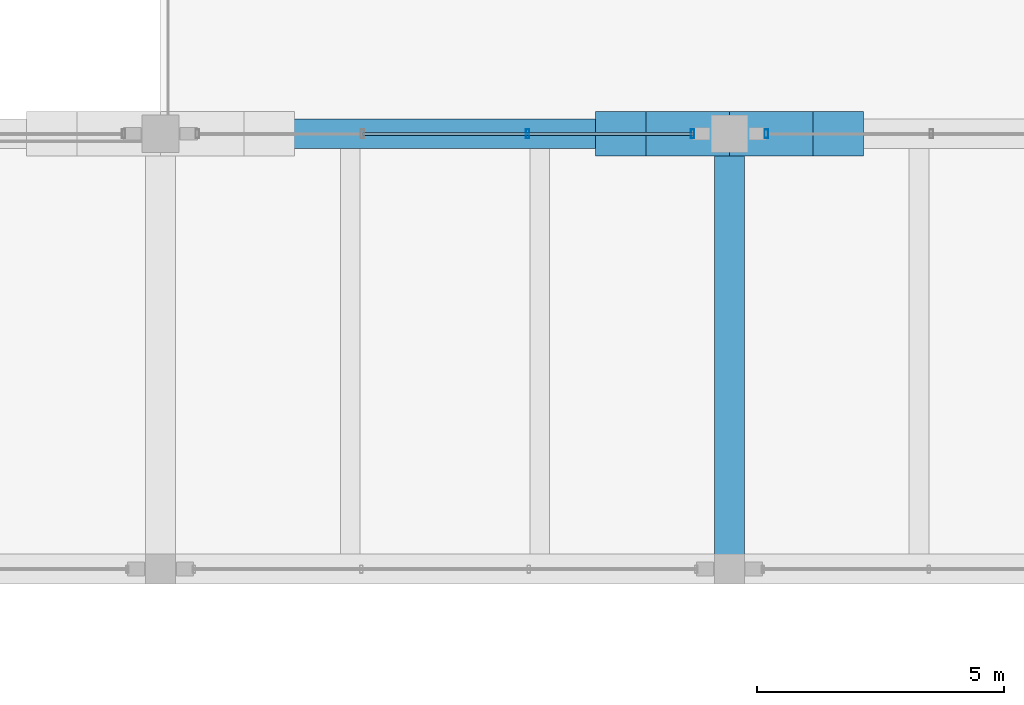
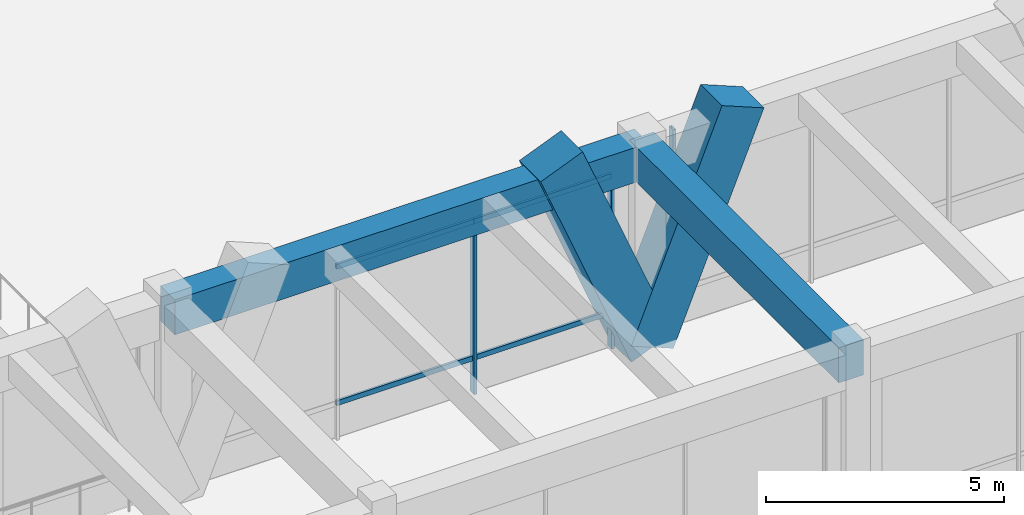
# One storey, part 18 of 148: 9 members, 2 beams, 2 elements without a shape of their own.
"""IFC4 building model written with IfcOpenShell, lengths in metres."""

from ifc_helpers import new_model, si_unit, direction, frame, origin, origin_2d, place, context, subcontext, project, spatial, rectangle, hollow_rectangle, extrude, material, material_profile, profile_set, type_object, element, aggregate, save


model = new_model("IFC4")

# Units and contexts
model_context = context("Model", 3, precision=1e-05, world=origin(), true_north=direction((0.0, 1.0)))
body_context = subcontext(model_context, "Body", "Model", "MODEL_VIEW")
ifc_project = project(units=[si_unit("LENGTHUNIT", "METRE"), si_unit("AREAUNIT", "SQUARE_METRE"), si_unit("VOLUMEUNIT", "CUBIC_METRE"), si_unit("PLANEANGLEUNIT", "RADIAN"), si_unit("MASSUNIT", "GRAM", prefix="KILO")], contexts=[model_context])

# Site, building, storey
site_placement = place(None, origin())
site = spatial("IfcSite", under=ifc_project, at=site_placement, CompositionType="ELEMENT")
building_placement = place(site_placement, origin())
building = spatial("IfcBuilding", under=site, at=building_placement, Name="Ologun Quay Terminus", CompositionType="ELEMENT")
storey_placement = place(building_placement, frame((0.0, 0.0, 8.39990234375)))
storey = spatial("IfcBuildingStorey", under=building, at=storey_placement, Name="L02", CompositionType="ELEMENT", Elevation=8.39990234375)

# Curtain wall, members
ifc_material_1 = material(Name="Aluminium 6063-T6", Category="aluminium")
curtain_wall_type = type_object("IfcCurtainWallType", Name="Train Shed South Clerestory Curtain Wall 10700x5050", PredefinedType="USERDEFINED", material=ifc_material_1)
curtain_wall_1_placement = place(storey_placement, origin())
curtain_wall_1 = element("IfcCurtainWall", 1, at=curtain_wall_1_placement, inside=storey, type_object=curtain_wall_type, Name="CW-08 Curtain Wall CW-L02-050", ObjectType="UNITISED CURTAIN WALL", PredefinedType="USERDEFINED")
ifc_material_2 = material(Name="Aluminium 6063-T6", Category="aluminium")
ifc_material_profile_1 = material_profile(ifc_material_2, hollow_rectangle(XDim=0.070068359375, YDim=0.179931640625, WallThickness=0.0048828125, at=origin_2d()), Name="ALU 180x70x5")
ifc_profile_set_1 = profile_set([ifc_material_profile_1], Name="Aluminium 6063-T6")
member_type_1 = type_object("IfcMemberType", Name="Concourse Clerestory Mullion 180x70", PredefinedType="MULLION", material=ifc_profile_set_1)
member_1_placement = place(storey_placement, frame((41.918212890625, 36.0, 0.0), z_axis=(0.0, 0.0, 1.0), x_axis=(1.0, 0.0, 0.0)))
member_1 = element("IfcMember", 2, at=member_1_placement, type_object=member_type_1, Name="CW-L02-050 Mullion 3", PredefinedType="MULLION", context=body_context, shape_type="SweptSolid", body=[
    extrude(hollow_rectangle(XDim=0.070068359375, YDim=0.179931640625, WallThickness=0.0048828125, at=origin_2d()), origin(), (0.0, 0.0, 1.0), 5.10009765625),
])
member_2_placement = place(storey_placement, frame((45.2548828125, 36.0, 0.0), z_axis=(0.0, 0.0, 1.0), x_axis=(1.0, 0.0, 0.0)))
member_2 = element("IfcMember", 3, at=member_2_placement, type_object=member_type_1, Name="CW-L02-050 Mullion 4", PredefinedType="MULLION", context=body_context, shape_type="SweptSolid", body=[
    extrude(hollow_rectangle(XDim=0.070068359375, YDim=0.179931640625, WallThickness=0.0048828125, at=origin_2d()), origin(), (0.0, 0.0, 1.0), 5.10009765625),
])

# Curtain wall, member
curtain_wall_2_placement = place(storey_placement, origin())
curtain_wall_2 = element("IfcCurtainWall", 4, at=curtain_wall_2_placement, inside=storey, type_object=curtain_wall_type, Name="CW-08 Curtain Wall CW-L02-052", ObjectType="UNITISED CURTAIN WALL", PredefinedType="USERDEFINED")
member_3_placement = place(storey_placement, frame((46.7451171875, 36.0, 0.0), z_axis=(0.0, 0.0, 1.0), x_axis=(1.0, 0.0, 0.0)))
member_3 = element("IfcMember", 5, at=member_3_placement, type_object=member_type_1, Name="CW-L02-052 Mullion 1", PredefinedType="MULLION", context=body_context, shape_type="SweptSolid", body=[
    extrude(hollow_rectangle(XDim=0.070068359375, YDim=0.179931640625, WallThickness=0.0048828125, at=origin_2d()), origin(), (0.0, 0.0, 1.0), 5.10009765625),
])
aggregate(curtain_wall_2, [member_3])

# Member
ifc_material_3 = material(Name="Aluminium 6063-T6", Category="aluminium")
ifc_material_profile_2 = material_profile(ifc_material_3, hollow_rectangle(XDim=0.06005859375, YDim=0.1298828125, WallThickness=0.00390625, at=origin_2d()), Name="ALU 130x60x4")
ifc_profile_set_2 = profile_set([ifc_material_profile_2], Name="Aluminium 6063-T6")
member_type_2 = type_object("IfcMemberType", Name="Concourse Clerestory Transom 130x60", PredefinedType="USERDEFINED", material=ifc_profile_set_2)
member_4_placement = place(storey_placement, frame((38.581787109375, 36.0, 0.900146484375), z_axis=(1.0, 0.0, 0.0), x_axis=(0.0, 1.0, 0.0)))
member_4 = element("IfcMember", 6, at=member_4_placement, type_object=member_type_2, Name="CW-L02-050 Transom B2-1", ObjectType="TRANSOM", PredefinedType="USERDEFINED", context=body_context, shape_type="SweptSolid", body=[
    extrude(hollow_rectangle(XDim=0.06005859375, YDim=0.1298828125, WallThickness=0.00390625, at=origin_2d()), origin(), (0.0, 0.0, 1.0), 3.33642578125),
])

member_5_placement = place(storey_placement, frame((38.581787109375, 36.0, 4.400146484375), z_axis=(1.0, 0.0, 0.0), x_axis=(0.0, 1.0, 0.0)))
member_5 = element("IfcMember", 7, at=member_5_placement, type_object=member_type_2, Name="CW-L02-050 Transom B2-2", ObjectType="TRANSOM", PredefinedType="USERDEFINED", context=body_context, shape_type="SweptSolid", body=[
    extrude(hollow_rectangle(XDim=0.06005859375, YDim=0.1298828125, WallThickness=0.00390625, at=origin_2d()), origin(), (0.0, 0.0, 1.0), 3.33642578125),
])

member_6_placement = place(storey_placement, frame((41.918212890625, 36.0, 0.900146484375), z_axis=(1.0, 0.0, 0.0), x_axis=(0.0, 1.0, 0.0)))
member_6 = element("IfcMember", 8, at=member_6_placement, type_object=member_type_2, Name="CW-L02-050 Transom B3-1", ObjectType="TRANSOM", PredefinedType="USERDEFINED", context=body_context, shape_type="SweptSolid", body=[
    extrude(hollow_rectangle(XDim=0.06005859375, YDim=0.1298828125, WallThickness=0.00390625, at=origin_2d()), origin(), (0.0, 0.0, 1.0), 3.336669921875),
])

member_7_placement = place(storey_placement, frame((41.918212890625, 36.0, 4.400146484375), z_axis=(1.0, 0.0, 0.0), x_axis=(0.0, 1.0, 0.0)))
member_7 = element("IfcMember", 9, at=member_7_placement, type_object=member_type_2, Name="CW-L02-050 Transom B3-2", ObjectType="TRANSOM", PredefinedType="USERDEFINED", context=body_context, shape_type="SweptSolid", body=[
    extrude(hollow_rectangle(XDim=0.06005859375, YDim=0.1298828125, WallThickness=0.00390625, at=origin_2d()), origin(), (0.0, 0.0, 1.0), 3.336669921875),
])

aggregate(curtain_wall_1, [member_1, member_2, member_4, member_5, member_6, member_7])

# Members
ifc_material_4 = material(Name="Concrete C45/55", Category="concrete")
ifc_material_profile_3 = material_profile(ifc_material_4, rectangle(XDim=0.89990234375, YDim=1.10009765625, at=origin_2d()), Name="RC 900x1100")
ifc_profile_set_3 = profile_set([ifc_material_profile_3], Name="Concrete C45/55")
member_type_3 = type_object("IfcMemberType", Name="Sculpted Concrete Arch V-Buttress Strut 900x1100", PredefinedType="STRUT", material=ifc_profile_set_3)
for number, where, z_axis, x_axis, name in (
    (10, (46.0, 36.0, 0.0), (-0.377280927807, 0.0, 0.926098861631), (0.0, -1.0, 0.0), "VS1 Arch V-Buttress West Limb 5/E"),
    (11, (46.0, 36.0, 0.0), (0.377280927807, 0.0, 0.926098861631), (0.0, 1.0, 0.0), "VS1 Arch V-Buttress East Limb 5/E"),
):
    element("IfcMember", number, at=place(storey_placement, frame(where, z_axis=z_axis, x_axis=x_axis)), inside=storey, type_object=member_type_3, Name=name, PredefinedType="STRUT", context=body_context, shape_type="SweptSolid", body=[
        extrude(rectangle(XDim=0.89990234375, YDim=1.10009765625, at=origin_2d()), origin(), (0.0, 0.0, 1.0), 5.8310546875),
    ])

# Beams
ifc_material_5 = material(Name="Concrete C40/50", Category="concrete")
ifc_material_profile_4 = material_profile(ifc_material_5, rectangle(XDim=0.60009765625, YDim=0.89990234375, at=origin_2d()), Name="RC 600x900")
ifc_profile_set_4 = profile_set([ifc_material_profile_4], Name="Concrete C40/50")
beam_type = type_object("IfcBeamType", Name="Station Frame Girder 600x900", PredefinedType="BEAM", material=ifc_profile_set_4)
beam_1_placement = place(storey_placement, frame((34.5, 36.0, 4.7001953125), z_axis=(1.0, 0.0, 0.0), x_axis=(0.0, 1.0, 0.0)))
element("IfcBeam", 12, at=beam_1_placement, inside=storey, type_object=beam_type, Name="B3 Beam 4/E L02", PredefinedType="BEAM", context=body_context, shape_type="SweptSolid", body=[
    extrude(rectangle(XDim=0.60009765625, YDim=0.89990234375, at=origin_2d()), origin(), (0.0, 0.0, 1.0), 11.5),
])
beam_2_placement = place(storey_placement, frame((46.0, 27.199951171875, 4.7001953125), z_axis=(0.0, 1.0, 0.0), x_axis=(-1.0, 0.0, 0.0)))
element("IfcBeam", 13, at=beam_2_placement, inside=storey, type_object=beam_type, Name="B3 Beam 5/D L02", PredefinedType="BEAM", context=body_context, shape_type="SweptSolid", body=[
    extrude(rectangle(XDim=0.60009765625, YDim=0.89990234375, at=origin_2d()), origin(), (0.0, 0.0, 1.0), 8.800048828125),
])

save(model, "model.ifc")
